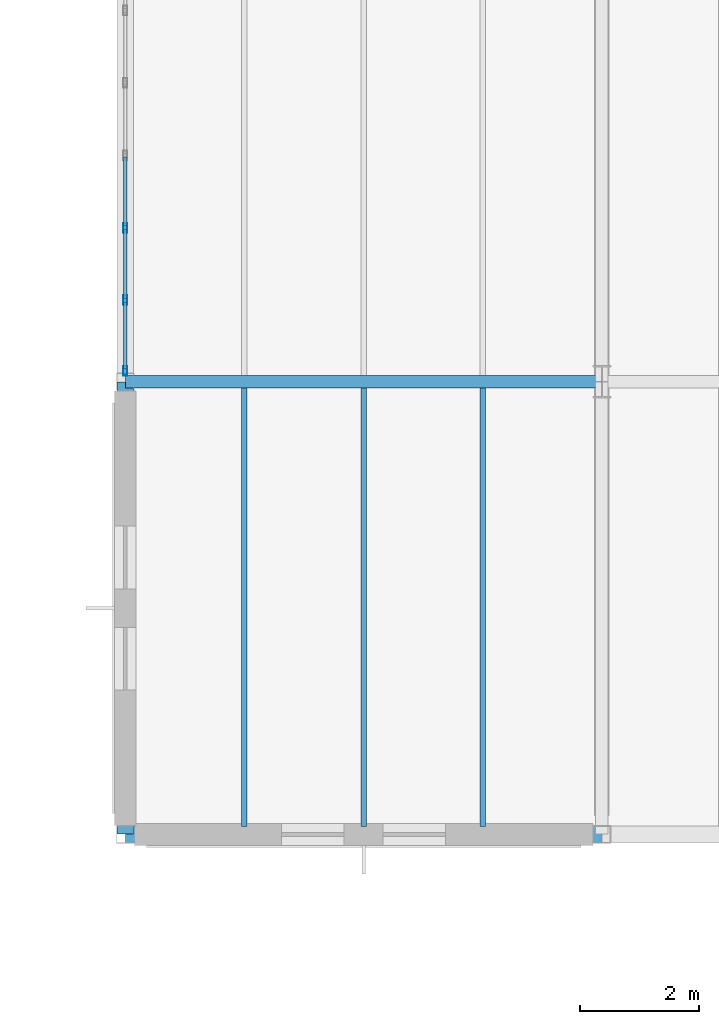
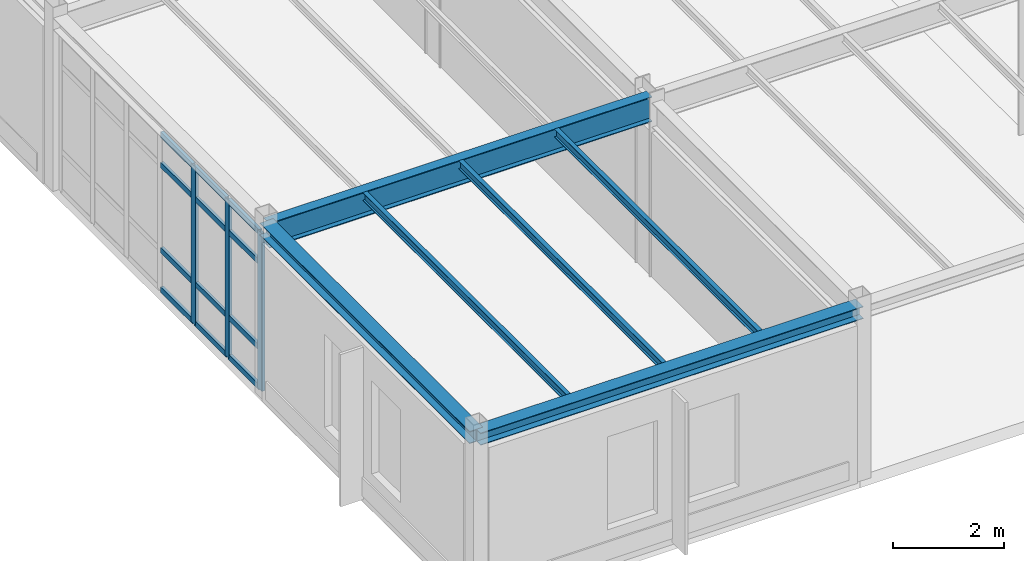
# One storey, part 114 of 165: 15 members, 6 beams, 1 element without a shape of its own.
"""IFC4 building model written with IfcOpenShell, lengths in metres."""

from ifc_helpers import new_model, si_unit, direction, frame, origin, origin_2d, place, context, subcontext, project, spatial, hollow_rectangle, i_section, extrude, material, layer, layer_set, material_profile, profile_set, type_object, element, aggregate, save


model = new_model("IFC4")

# Units and contexts
model_context = context("Model", 3, precision=1e-05, world=origin(), true_north=direction((0.0, 1.0)))
body_context = subcontext(model_context, "Body", "Model", "MODEL_VIEW")
ifc_project = project(units=[si_unit("LENGTHUNIT", "METRE"), si_unit("AREAUNIT", "SQUARE_METRE"), si_unit("VOLUMEUNIT", "CUBIC_METRE"), si_unit("PLANEANGLEUNIT", "RADIAN"), si_unit("MASSUNIT", "GRAM", prefix="KILO")], contexts=[model_context])

# Site, building, storey
site_placement = place(None, origin())
site = spatial("IfcSite", under=ifc_project, at=site_placement, CompositionType="ELEMENT")
building_placement = place(site_placement, origin())
building = spatial("IfcBuilding", under=site, at=building_placement, Name="Montecoro Central Library", CompositionType="ELEMENT")
storey_placement = place(building_placement, frame((0.0, 0.0, 5.10009765625)))
storey = spatial("IfcBuildingStorey", under=building, at=storey_placement, Name="L01", CompositionType="ELEMENT", Elevation=5.10009765625)

# Beams
ifc_material_1 = material(Name="Steel S355J2", Category="steel")
ifc_material_profile_1 = material_profile(ifc_material_1, i_section(OverallWidth=0.2099609375, OverallDepth=0.550048828125, WebThickness=0.010986328125, FlangeThickness=0.01708984375, at=origin_2d()), Name="IPE 550")
ifc_profile_set_1 = profile_set([ifc_material_profile_1], Name="Steel S355J2")
beam_type_1 = type_object("IfcBeamType", Name="BM-G-IPE550", PredefinedType="USERDEFINED", material=ifc_profile_set_1)
beam_1_placement = place(storey_placement, frame((141.0048828125, 81.0, 3.5498046875), z_axis=(1.0, 0.0, 0.0), x_axis=(0.0, 1.0, 0.0)))
element("IfcBeam", 1, at=beam_1_placement, inside=storey, type_object=beam_type_1, Name="V5-L01-BX-1819-L", ObjectType="GIRDER", PredefinedType="USERDEFINED", context=body_context, shape_type="SweptSolid", body=[
    extrude(i_section(OverallWidth=0.2099609375, OverallDepth=0.550048828125, WebThickness=0.010986328125, FlangeThickness=0.01708984375, at=origin_2d()), origin(), (0.0, 0.0, 1.0), 7.990234375),
])
ifc_material_2 = material(Name="Steel S355", Category="steel")
ifc_material_profile_2 = material_profile(ifc_material_2, i_section(OverallWidth=0.091064453125, OverallDepth=0.179931640625, WebThickness=0.00537109375, FlangeThickness=0.008056640625, at=origin_2d()), Name="IPE 180")
ifc_profile_set_2 = profile_set([ifc_material_profile_2], Name="Steel S355")
beam_type_2 = type_object("IfcBeamType", Name="BM-J-IPE180", PredefinedType="JOIST", material=ifc_profile_set_2)
for number, where, z_axis, x_axis, name in (
    (2, (143.0, 73.537109375, 3.73486328125), (0.0, 1.0, 0.0), (-1.0, 0.0, 0.0), "V5-L01-JS-1819-KL-1"),
    (3, (145.0, 73.537109375, 3.73486328125), (0.0, 1.0, 0.0), (-1.0, 0.0, 0.0), "V5-L01-JS-1819-KL-2"),
    (4, (147.0, 73.537109375, 3.73486328125), (0.0, 1.0, 0.0), (-1.0, 0.0, 0.0), "V5-L01-JS-1819-KL-3"),
):
    element("IfcBeam", number, at=place(storey_placement, frame(where, z_axis=z_axis, x_axis=x_axis)), inside=storey, type_object=beam_type_2, Name=name, PredefinedType="JOIST", context=body_context, shape_type="SweptSolid", body=[
        extrude(i_section(OverallWidth=0.091064453125, OverallDepth=0.179931640625, WebThickness=0.00537109375, FlangeThickness=0.008056640625, at=origin_2d()), origin(), (0.0, 0.0, 1.0), 7.36083984375),
    ])
ifc_material_profile_3 = material_profile(ifc_material_2, i_section(OverallWidth=0.280029296875, OverallDepth=0.27001953125, WebThickness=0.008056640625, FlangeThickness=0.012939453125, at=origin_2d()), Name="HEA 280")
ifc_profile_set_3 = profile_set([ifc_material_profile_3], Name="Steel S355")
beam_type_3 = type_object("IfcBeamType", Name="BM-SP-HEA280", PredefinedType="SPANDREL", material=ifc_profile_set_3)
beam_2_placement = place(storey_placement, frame((141.0048828125, 73.39990234375, 3.68994140625), z_axis=(1.0, 0.0, 0.0), x_axis=(0.0, 1.0, 0.0)))
element("IfcBeam", 5, at=beam_2_placement, inside=storey, type_object=beam_type_3, Name="V5-L01-BX-1819-K", PredefinedType="SPANDREL", context=body_context, shape_type="SweptSolid", body=[
    extrude(i_section(OverallWidth=0.280029296875, OverallDepth=0.27001953125, WebThickness=0.008056640625, FlangeThickness=0.012939453125, at=origin_2d()), origin(), (0.0, 0.0, 1.0), 7.990234375),
])
beam_3_placement = place(storey_placement, frame((141.0, 73.405029296875, 3.68994140625), z_axis=(0.0, 1.0, 0.0), x_axis=(-1.0, 0.0, 0.0)))
element("IfcBeam", 6, at=beam_3_placement, inside=storey, type_object=beam_type_3, Name="V5-L01-BY-18-KL", PredefinedType="SPANDREL", context=body_context, shape_type="SweptSolid", body=[
    extrude(i_section(OverallWidth=0.280029296875, OverallDepth=0.27001953125, WebThickness=0.008056640625, FlangeThickness=0.012939453125, at=origin_2d()), origin(), (0.0, 0.0, 1.0), 7.590087890625),
])

# Curtain wall, members
ifc_material_3 = material(Name="Bronze-anodised aluminium and low-E glazing", Category="aluminium")
ifc_layer = layer(ifc_material_3, 0.159912109375)
ifc_layer_set = layer_set([ifc_layer], Name="Bronze-anodised aluminium and low-E glazing")
curtain_wall_type = type_object("IfcCurtainWallType", Name="CWT-053", PredefinedType="NOTDEFINED", material=ifc_layer_set)
curtain_wall_placement = place(storey_placement, origin())
curtain_wall = element("IfcCurtainWall", 7, at=curtain_wall_placement, inside=storey, type_object=curtain_wall_type, Name="V5-L01-CW-W1", PredefinedType="NOTDEFINED")
ifc_material_4 = material(Name="Bronze-anodised aluminium", Category="aluminium")
ifc_material_profile_4 = material_profile(ifc_material_4, hollow_rectangle(XDim=0.06005859375, YDim=0.159912109375, WallThickness=0.00390625, at=origin_2d()), Name="CWM 160x60x4.0")
ifc_profile_set_4 = profile_set([ifc_material_profile_4], Name="Bronze-anodised aluminium")
member_type_1 = type_object("IfcMemberType", Name="CWM-BRZ-60", PredefinedType="MULLION", material=ifc_profile_set_4)
member_1_placement = place(storey_placement, frame((141.0, 83.584228515625, 0.0), z_axis=(0.0, 0.0, 1.0), x_axis=(1.0, 0.0, 0.0)))
member_1 = element("IfcMember", 8, at=member_1_placement, type_object=member_type_1, Name="CW-053 mullion 5", PredefinedType="MULLION", context=body_context, shape_type="SweptSolid", body=[
    extrude(hollow_rectangle(XDim=0.06005859375, YDim=0.159912109375, WallThickness=0.00390625, at=origin_2d()), origin(), (0.0, 0.0, 1.0), 3.47998046875),
])
member_2_placement = place(storey_placement, frame((141.0, 82.36865234375, 0.0), z_axis=(0.0, 0.0, 1.0), x_axis=(1.0, 0.0, 0.0)))
member_2 = element("IfcMember", 9, at=member_2_placement, type_object=member_type_1, Name="CW-053 mullion 6", PredefinedType="MULLION", context=body_context, shape_type="SweptSolid", body=[
    extrude(hollow_rectangle(XDim=0.06005859375, YDim=0.159912109375, WallThickness=0.00390625, at=origin_2d()), origin(), (0.0, 0.0, 1.0), 3.47998046875),
])
member_3_placement = place(storey_placement, frame((141.0, 81.18310546875, 0.0), z_axis=(0.0, 0.0, 1.0), x_axis=(1.0, 0.0, 0.0)))
member_3 = element("IfcMember", 10, at=member_3_placement, type_object=member_type_1, Name="CW-053 mullion 7", PredefinedType="MULLION", context=body_context, shape_type="SweptSolid", body=[
    extrude(hollow_rectangle(XDim=0.06005859375, YDim=0.159912109375, WallThickness=0.00390625, at=origin_2d()), origin(), (0.0, 0.0, 1.0), 3.47998046875),
])
ifc_material_profile_5 = material_profile(ifc_material_4, hollow_rectangle(XDim=0.06005859375, YDim=0.1201171875, WallThickness=0.00390625, at=origin_2d()), Name="CWT 120x60x4.0")
ifc_profile_set_5 = profile_set([ifc_material_profile_5], Name="Bronze-anodised aluminium")
member_type_2 = type_object("IfcMemberType", Name="CWT-BRZ-60", PredefinedType="USERDEFINED", material=ifc_profile_set_5)
member_4_placement = place(storey_placement, frame((141.0, 84.77001953125, 0.02978515625), z_axis=(0.0, -1.0, 0.0), x_axis=(1.0, 0.0, 0.0)))
member_4 = element("IfcMember", 11, at=member_4_placement, type_object=member_type_2, Name="CW-053 transom 4.1", ObjectType="TRANSOM", PredefinedType="USERDEFINED", context=body_context, shape_type="SweptSolid", body=[
    extrude(hollow_rectangle(XDim=0.06005859375, YDim=0.1201171875, WallThickness=0.00390625, at=origin_2d()), origin(), (0.0, 0.0, 1.0), 1.15576171875),
])
member_5_placement = place(storey_placement, frame((141.0, 84.77001953125, 0.89990234375), z_axis=(0.0, -1.0, 0.0), x_axis=(1.0, 0.0, 0.0)))
member_5 = element("IfcMember", 12, at=member_5_placement, type_object=member_type_2, Name="CW-053 transom 4.2", ObjectType="TRANSOM", PredefinedType="USERDEFINED", context=body_context, shape_type="SweptSolid", body=[
    extrude(hollow_rectangle(XDim=0.06005859375, YDim=0.1201171875, WallThickness=0.00390625, at=origin_2d()), origin(), (0.0, 0.0, 1.0), 1.15576171875),
])
member_6_placement = place(storey_placement, frame((141.0, 84.77001953125, 2.77978515625), z_axis=(0.0, -1.0, 0.0), x_axis=(1.0, 0.0, 0.0)))
member_6 = element("IfcMember", 13, at=member_6_placement, type_object=member_type_2, Name="CW-053 transom 4.3", ObjectType="TRANSOM", PredefinedType="USERDEFINED", context=body_context, shape_type="SweptSolid", body=[
    extrude(hollow_rectangle(XDim=0.06005859375, YDim=0.1201171875, WallThickness=0.00390625, at=origin_2d()), origin(), (0.0, 0.0, 1.0), 1.15576171875),
])
member_7_placement = place(storey_placement, frame((141.0, 84.77001953125, 3.449951171875), z_axis=(0.0, -1.0, 0.0), x_axis=(1.0, 0.0, 0.0)))
member_7 = element("IfcMember", 14, at=member_7_placement, type_object=member_type_2, Name="CW-053 transom 4.4", ObjectType="TRANSOM", PredefinedType="USERDEFINED", context=body_context, shape_type="SweptSolid", body=[
    extrude(hollow_rectangle(XDim=0.06005859375, YDim=0.1201171875, WallThickness=0.00390625, at=origin_2d()), origin(), (0.0, 0.0, 1.0), 1.15576171875),
])
member_8_placement = place(storey_placement, frame((141.0, 83.554443359375, 0.02978515625), z_axis=(0.0, -1.0, 0.0), x_axis=(1.0, 0.0, 0.0)))
member_8 = element("IfcMember", 15, at=member_8_placement, type_object=member_type_2, Name="CW-053 transom 5.1", ObjectType="TRANSOM", PredefinedType="USERDEFINED", context=body_context, shape_type="SweptSolid", body=[
    extrude(hollow_rectangle(XDim=0.06005859375, YDim=0.1201171875, WallThickness=0.00390625, at=origin_2d()), origin(), (0.0, 0.0, 1.0), 1.15576171875),
])
member_9_placement = place(storey_placement, frame((141.0, 83.554443359375, 0.89990234375), z_axis=(0.0, -1.0, 0.0), x_axis=(1.0, 0.0, 0.0)))
member_9 = element("IfcMember", 16, at=member_9_placement, type_object=member_type_2, Name="CW-053 transom 5.2", ObjectType="TRANSOM", PredefinedType="USERDEFINED", context=body_context, shape_type="SweptSolid", body=[
    extrude(hollow_rectangle(XDim=0.06005859375, YDim=0.1201171875, WallThickness=0.00390625, at=origin_2d()), origin(), (0.0, 0.0, 1.0), 1.15576171875),
])
member_10_placement = place(storey_placement, frame((141.0, 83.554443359375, 2.77978515625), z_axis=(0.0, -1.0, 0.0), x_axis=(1.0, 0.0, 0.0)))
member_10 = element("IfcMember", 17, at=member_10_placement, type_object=member_type_2, Name="CW-053 transom 5.3", ObjectType="TRANSOM", PredefinedType="USERDEFINED", context=body_context, shape_type="SweptSolid", body=[
    extrude(hollow_rectangle(XDim=0.06005859375, YDim=0.1201171875, WallThickness=0.00390625, at=origin_2d()), origin(), (0.0, 0.0, 1.0), 1.15576171875),
])
member_11_placement = place(storey_placement, frame((141.0, 83.554443359375, 3.449951171875), z_axis=(0.0, -1.0, 0.0), x_axis=(1.0, 0.0, 0.0)))
member_11 = element("IfcMember", 18, at=member_11_placement, type_object=member_type_2, Name="CW-053 transom 5.4", ObjectType="TRANSOM", PredefinedType="USERDEFINED", context=body_context, shape_type="SweptSolid", body=[
    extrude(hollow_rectangle(XDim=0.06005859375, YDim=0.1201171875, WallThickness=0.00390625, at=origin_2d()), origin(), (0.0, 0.0, 1.0), 1.15576171875),
])
member_12_placement = place(storey_placement, frame((141.0, 82.338623046875, 0.02978515625), z_axis=(0.0, -1.0, 0.0), x_axis=(1.0, 0.0, 0.0)))
member_12 = element("IfcMember", 19, at=member_12_placement, type_object=member_type_2, Name="CW-053 transom 6.1", ObjectType="TRANSOM", PredefinedType="USERDEFINED", context=body_context, shape_type="SweptSolid", body=[
    extrude(hollow_rectangle(XDim=0.06005859375, YDim=0.1201171875, WallThickness=0.00390625, at=origin_2d()), origin(), (0.0, 0.0, 1.0), 1.125732421875),
])
member_13_placement = place(storey_placement, frame((141.0, 82.338623046875, 0.89990234375), z_axis=(0.0, -1.0, 0.0), x_axis=(1.0, 0.0, 0.0)))
member_13 = element("IfcMember", 20, at=member_13_placement, type_object=member_type_2, Name="CW-053 transom 6.2", ObjectType="TRANSOM", PredefinedType="USERDEFINED", context=body_context, shape_type="SweptSolid", body=[
    extrude(hollow_rectangle(XDim=0.06005859375, YDim=0.1201171875, WallThickness=0.00390625, at=origin_2d()), origin(), (0.0, 0.0, 1.0), 1.125732421875),
])
member_14_placement = place(storey_placement, frame((141.0, 82.338623046875, 2.77978515625), z_axis=(0.0, -1.0, 0.0), x_axis=(1.0, 0.0, 0.0)))
member_14 = element("IfcMember", 21, at=member_14_placement, type_object=member_type_2, Name="CW-053 transom 6.3", ObjectType="TRANSOM", PredefinedType="USERDEFINED", context=body_context, shape_type="SweptSolid", body=[
    extrude(hollow_rectangle(XDim=0.06005859375, YDim=0.1201171875, WallThickness=0.00390625, at=origin_2d()), origin(), (0.0, 0.0, 1.0), 1.125732421875),
])
member_15_placement = place(storey_placement, frame((141.0, 82.338623046875, 3.449951171875), z_axis=(0.0, -1.0, 0.0), x_axis=(1.0, 0.0, 0.0)))
member_15 = element("IfcMember", 22, at=member_15_placement, type_object=member_type_2, Name="CW-053 transom 6.4", ObjectType="TRANSOM", PredefinedType="USERDEFINED", context=body_context, shape_type="SweptSolid", body=[
    extrude(hollow_rectangle(XDim=0.06005859375, YDim=0.1201171875, WallThickness=0.00390625, at=origin_2d()), origin(), (0.0, 0.0, 1.0), 1.125732421875),
])
aggregate(curtain_wall, [member_1, member_2, member_3, member_4, member_5, member_6, member_7, member_8, member_9, member_10, member_11, member_12, member_13, member_14, member_15])

save(model, "model.ifc")
